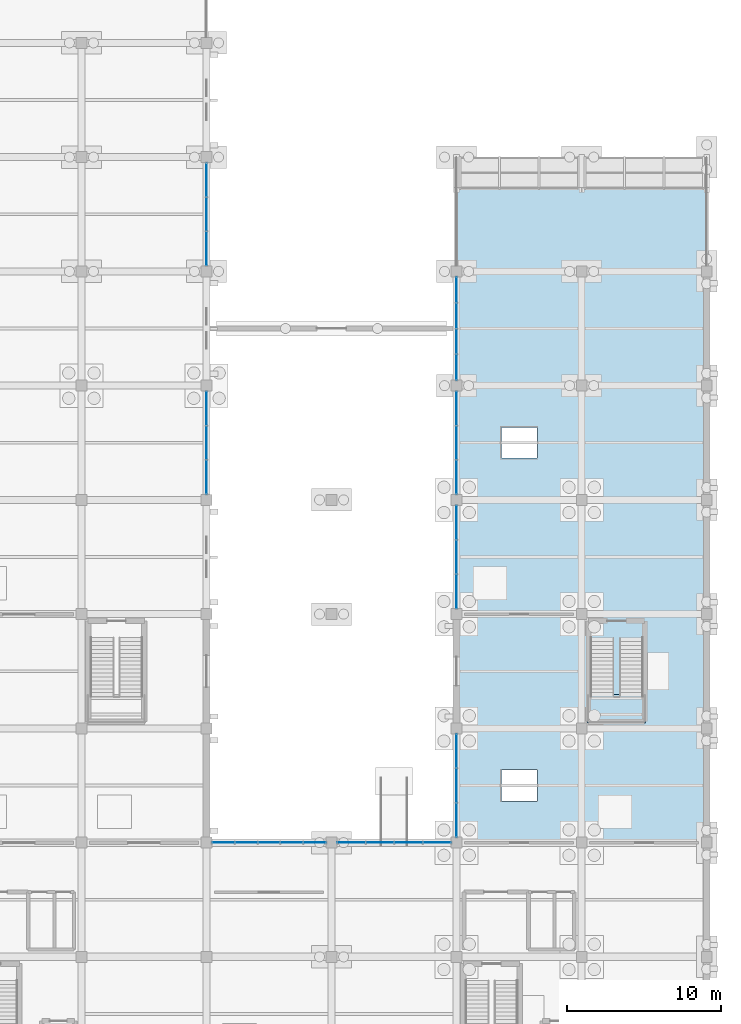
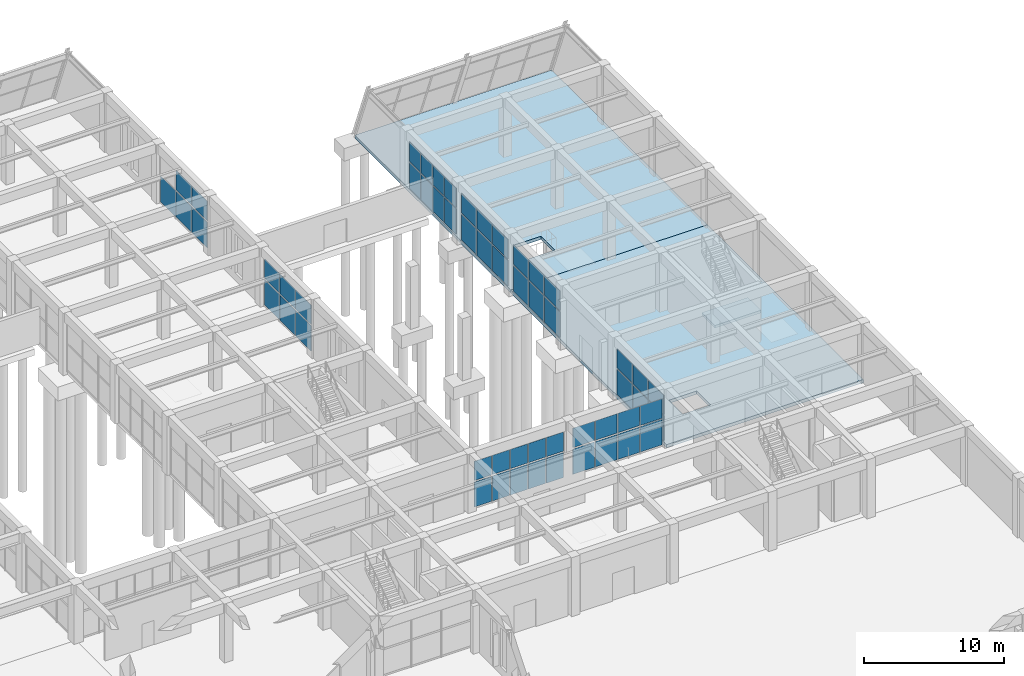
# One storey, part 119 of 140: 55 plates, 3 slabs, 9 elements without a shape of their own.
"""IFC4 building model written with IfcOpenShell, lengths in metres."""

import ifcopenshell
import ifcopenshell.guid

model = None  # the IFC model being written
_history = None  # IfcOwnerHistory: only IFC2X3 demands one
_inside = {}  # id of a spatial element -> (the spatial element, [elements in it])
_under = {}  # id of a project, library or spatial element -> (it, [spatial elements below it])
_declared = {}  # id of a project -> (the project, [libraries it declares])
_typed = {}  # id of a type object -> (the type object, [elements of that type])
_made_of = {}  # id of a material, layer set ... -> (it, [elements and type objects made of it])


def new_model(schema):
    """Start an empty IFC model of exactly this schema.

    Asked for "IFC4X3", IfcOpenShell would pick the latest addendum, in which some entities
    have other attributes; the version numbers below select the first issue.
    IFC2X3 requires an IfcOwnerHistory on every rooted entity: one is made here for all.
    """
    global model, _history
    if schema == "IFC4X3":
        model = ifcopenshell.file(schema_version=(4, 3, 0, 0))
    else:
        model = ifcopenshell.file(schema=schema)
    _inside.clear()
    _under.clear()
    _declared.clear()
    _typed.clear()
    _made_of.clear()
    _history = None
    if model.schema == "IFC2X3":
        org = make("IfcOrganization", Name="unknown")
        user = make(
            "IfcPersonAndOrganization",
            ThePerson=make("IfcPerson", FamilyName="unknown"),
            TheOrganization=org,
        )
        app = make(
            "IfcApplication",
            ApplicationDeveloper=org,
            Version="unknown",
            ApplicationFullName="unknown",
            ApplicationIdentifier="unknown",
        )
        _history = make(
            "IfcOwnerHistory",
            OwningUser=user,
            OwningApplication=app,
            ChangeAction="ADDED",
            CreationDate=0,
        )
    return model


def make(cls, **values):
    """One entity of the class cls with the attributes given. An attribute that is None is left unset."""
    return model.create_entity(
        cls, **{name: value for name, value in values.items() if value is not None}
    )


def rooted(cls, **values):
    """An entity with a GlobalId (a new one), such as an element, a storey or a relation."""
    return make(cls, GlobalId=ifcopenshell.guid.new(), OwnerHistory=_history, **values)


def si_unit(unit_type, name, prefix=None):
    """IfcSIUnit, for example si_unit("LENGTHUNIT", "METRE", prefix="MILLI")."""
    return make("IfcSIUnit", UnitType=unit_type, Prefix=prefix, Name=name)


def assignment(units):
    """IfcUnitAssignment: the units of a project."""
    return None if units is None else make("IfcUnitAssignment", Units=units)


def point(xyz):
    """IfcCartesianPoint."""
    return None if xyz is None else make("IfcCartesianPoint", Coordinates=xyz)


def direction(xyz):
    """IfcDirection."""
    return None if xyz is None else make("IfcDirection", DirectionRatios=xyz)


def frame(location, z_axis=None, x_axis=None):
    """IfcAxis2Placement3D, a coordinate frame: its origin and axes. An axis left out is left unset."""
    return make(
        "IfcAxis2Placement3D",
        Location=point(location),
        Axis=direction(z_axis),
        RefDirection=direction(x_axis),
    )


def frame_2d(location, x_axis=None):
    """IfcAxis2Placement2D, a coordinate frame in the plane: its origin and x axis."""
    return make(
        "IfcAxis2Placement2D", Location=point(location), RefDirection=direction(x_axis)
    )


def origin():
    """The frame at (0, 0, 0) with its axes left unset."""
    return frame((0.0, 0.0, 0.0))


def origin_2d():
    """The frame at (0, 0) in the plane with its x axis left unset."""
    return frame_2d((0.0, 0.0))


def place(relative_to, where):
    """IfcLocalPlacement: puts the frame where relative to a parent placement (None: the world)."""
    return make(
        "IfcLocalPlacement", PlacementRelTo=relative_to, RelativePlacement=where
    )


def context(
    kind, dimensions, precision=None, world=None, true_north=None, identifier=None
):
    """IfcGeometricRepresentationContext, for example the 3D "Model" context."""
    return make(
        "IfcGeometricRepresentationContext",
        ContextIdentifier=identifier,
        ContextType=kind,
        CoordinateSpaceDimension=dimensions,
        Precision=precision,
        WorldCoordinateSystem=world,
        TrueNorth=true_north,
    )


def subcontext(parent, identifier, kind, view, scale=None):
    """IfcGeometricRepresentationSubContext, for example "Body" below "Model"."""
    return make(
        "IfcGeometricRepresentationSubContext",
        ContextIdentifier=identifier,
        ContextType=kind,
        ParentContext=parent,
        TargetScale=scale,
        TargetView=view,
    )


def project(units=None, contexts=None):
    """IfcProject with its units and contexts."""
    return rooted(
        "IfcProject",
        Name="project",
        RepresentationContexts=contexts,
        UnitsInContext=assignment(units),
    )


def spatial(cls, under=None, at=None, **own):
    """A site, building, storey or space (cls), placed at a placement, below another one or the project."""
    s = rooted(cls, ObjectPlacement=at, **own)
    if under is not None:
        _under.setdefault(under.id(), (under, []))[1].append(s)
    return s


def polyline(points):
    """IfcPolyline through the points."""
    return make("IfcPolyline", Points=[point(p) for p in points])


def profile(cls, at=None, kind="AREA", **sizes):
    """A parametric profile (cls). Its sizes go by their IFC names, for example OverallWidth=200.0."""
    return make(cls, ProfileType=kind, Position=at, **sizes)


def rectangle(**sizes):
    """IfcRectangleProfileDef."""
    return profile("IfcRectangleProfileDef", **sizes)


def outline(outer, holes=None, kind="AREA"):
    """IfcArbitraryClosedProfileDef: a profile drawn as a closed curve; with holes, ...WithVoids."""
    if holes is None:
        return make("IfcArbitraryClosedProfileDef", ProfileType=kind, OuterCurve=outer)
    return make(
        "IfcArbitraryProfileDefWithVoids",
        ProfileType=kind,
        OuterCurve=outer,
        InnerCurves=holes,
    )


def extrude(swept, where, along, depth):
    """IfcExtrudedAreaSolid: the profile swept, set in the frame where, extruded along a direction by depth."""
    return make(
        "IfcExtrudedAreaSolid",
        SweptArea=swept,
        Position=where,
        ExtrudedDirection=direction(along),
        Depth=depth,
    )


def shape(context_of_items, identifier, shape_type, items):
    """IfcShapeRepresentation: the items that make up one representation, for example the "Body"."""
    return make(
        "IfcShapeRepresentation",
        ContextOfItems=context_of_items,
        RepresentationIdentifier=identifier,
        RepresentationType=shape_type,
        Items=items,
    )


def material(Name=None, Category=None):
    """IfcMaterial."""
    return make("IfcMaterial", Name=Name, Category=Category)


def layer(
    of_material, thickness, ventilated=None, Name=None, Category=None, Priority=None
):
    """IfcMaterialLayer: one layer of a wall or slab, of a material (None: an air gap)."""
    return make(
        "IfcMaterialLayer",
        Material=of_material,
        LayerThickness=thickness,
        IsVentilated=ventilated,
        Name=Name,
        Category=Category,
        Priority=Priority,
    )


def layer_set(layers, Name=None):
    """IfcMaterialLayerSet."""
    return make("IfcMaterialLayerSet", MaterialLayers=layers, LayerSetName=Name)


def made_of(thing, what):
    """Note that an element or type object is made of a material, layer set ...; save() writes the relation."""
    if what is not None:
        _made_of.setdefault(what.id(), (what, []))[1].append(thing)
    return thing


def type_object(cls, material=None, **own):
    """A type object (cls), such as IfcWallType, which elements share."""
    return made_of(rooted(cls, **own), material)


def element(
    cls,
    number,
    at=None,
    inside=None,
    cuts=None,
    type_object=None,
    material=None,
    context=None,
    identifier="Body",
    shape_type=None,
    held_by="IfcProductDefinitionShape",
    body=None,
    shapes=None,
    **own,
):
    """One element of the class cls, such as IfcWall. Its Tag is "e" and its number.

    at: its placement. inside: the storey or other place that contains it. cuts: it is an
    opening in that element (IfcRelVoidsElement). A single representation is given by context,
    identifier, shape_type and body (its items); several are given by shapes. held_by: the class
    of the entity that holds the representations. save() writes the other relations.
    """
    e = rooted(cls, Tag="e%d" % number, ObjectPlacement=at, **own)
    if body is not None:
        shapes = [shape(context, identifier, shape_type, body)]
    if shapes is not None:
        e.Representation = make(held_by, Representations=shapes)
    if inside is not None:
        _inside.setdefault(inside.id(), (inside, []))[1].append(e)
    if cuts is not None:
        rooted(
            "IfcRelVoidsElement", RelatingBuildingElement=cuts, RelatedOpeningElement=e
        )
    if type_object is not None:
        _typed.setdefault(type_object.id(), (type_object, []))[1].append(e)
    return made_of(e, material)


def aggregate(whole, parts):
    """IfcRelAggregates: a whole, such as a stair, and the parts it consists of."""
    return rooted("IfcRelAggregates", RelatingObject=whole, RelatedObjects=parts)


def save(model, path):
    """Write the relations noted so far, then the file.

    IfcRelAggregates (storeys below a building ...), IfcRelContainedInSpatialStructure (elements
    in a storey), IfcRelDefinesByType, IfcRelAssociatesMaterial and IfcRelDeclares: one each for
    every whole, place, type object, material and project.
    """
    for whole, parts in _under.values():
        aggregate(whole, parts)
    for where, things in _inside.values():
        rooted(
            "IfcRelContainedInSpatialStructure",
            RelatedElements=things,
            RelatingStructure=where,
        )
    for kind, things in _typed.values():
        rooted("IfcRelDefinesByType", RelatedObjects=things, RelatingType=kind)
    for what, things in _made_of.values():
        rooted("IfcRelAssociatesMaterial", RelatedObjects=things, RelatingMaterial=what)
    for by, libraries in _declared.values():
        rooted("IfcRelDeclares", RelatingContext=by, RelatedDefinitions=libraries)
    model.write(path)


model = new_model("IFC4")

# Units and contexts
model_context = context("Model", 3, precision=1e-05, world=origin(), true_north=direction((0.0, 1.0)))
body_context = subcontext(model_context, "Body", "Model", "MODEL_VIEW")
ifc_project = project(units=[si_unit("LENGTHUNIT", "METRE"), si_unit("AREAUNIT", "SQUARE_METRE"), si_unit("VOLUMEUNIT", "CUBIC_METRE"), si_unit("PLANEANGLEUNIT", "RADIAN"), si_unit("MASSUNIT", "GRAM", prefix="KILO")], contexts=[model_context])

# Site, building, storey
site_placement = place(None, origin())
site = spatial("IfcSite", under=ifc_project, at=site_placement, CompositionType="ELEMENT")
building_placement = place(site_placement, origin())
building = spatial("IfcBuilding", under=site, at=building_placement, Name="Cimatlan Art Gallery", CompositionType="ELEMENT")
storey_placement = place(building_placement, origin())
storey = spatial("IfcBuildingStorey", under=building, at=storey_placement, Name="L00", CompositionType="ELEMENT", Elevation=0.0)

# Curtain wall, plates
ifc_material_1 = material(Name="Anodised bronze unitised curtain wall")
curtain_wall_type_1 = type_object("IfcCurtainWallType", Name="CW-V-07392X04210-B5", PredefinedType="NOTDEFINED", material=ifc_material_1)
curtain_wall_1_placement = place(storey_placement, origin())
curtain_wall_1 = element("IfcCurtainWall", 1, at=curtain_wall_1_placement, inside=storey, type_object=curtain_wall_type_1, Name="CW-L00-16-04-N", PredefinedType="NOTDEFINED")
ifc_material_2 = material(Name="Low-E insulated double glazing", Category="glass")
ifc_layer_1 = layer(ifc_material_2, 0.028076171875)
ifc_layer_set_1 = layer_set([ifc_layer_1], Name="Low-E insulated double glazing")
plate_type_1 = type_object("IfcPlateType", Name="PNL-1420X1668", PredefinedType="CURTAIN_PANEL", material=ifc_layer_set_1)
plate_1_placement = place(storey_placement, frame((132.693115234375, 38.699951171875, 2.419921875), z_axis=(0.0, 0.0, 1.0), x_axis=(1.0, 0.0, 0.0)))
plate_1 = element("IfcPlate", 2, at=plate_1_placement, type_object=plate_type_1, Name="CW-L00-16-04-N-P12", PredefinedType="CURTAIN_PANEL", context=body_context, shape_type="SweptSolid", body=[
    extrude(rectangle(XDim=1.419921875, YDim=0.028076171875, at=origin_2d()), origin(), (0.0, 0.0, 1.0), 1.66796875),
])
plate_2_placement = place(storey_placement, frame((134.171630859375, 38.699951171875, 2.419921875), z_axis=(0.0, 0.0, 1.0), x_axis=(1.0, 0.0, 0.0)))
plate_2 = element("IfcPlate", 3, at=plate_2_placement, type_object=plate_type_1, Name="CW-L00-16-04-N-P22", PredefinedType="CURTAIN_PANEL", context=body_context, shape_type="SweptSolid", body=[
    extrude(rectangle(XDim=1.419921875, YDim=0.028076171875, at=origin_2d()), origin(), (0.0, 0.0, 1.0), 1.66796875),
])
plate_3_placement = place(storey_placement, frame((135.64990234375, 38.699951171875, 2.419921875), z_axis=(0.0, 0.0, 1.0), x_axis=(1.0, 0.0, 0.0)))
plate_3 = element("IfcPlate", 4, at=plate_3_placement, type_object=plate_type_1, Name="CW-L00-16-04-N-P32", PredefinedType="CURTAIN_PANEL", context=body_context, shape_type="SweptSolid", body=[
    extrude(rectangle(XDim=1.419921875, YDim=0.028076171875, at=origin_2d()), origin(), (0.0, 0.0, 1.0), 1.66796875),
])
plate_4_placement = place(storey_placement, frame((137.12841796875, 38.699951171875, 2.419921875), z_axis=(0.0, 0.0, 1.0), x_axis=(1.0, 0.0, 0.0)))
plate_4 = element("IfcPlate", 5, at=plate_4_placement, type_object=plate_type_1, Name="CW-L00-16-04-N-P42", PredefinedType="CURTAIN_PANEL", context=body_context, shape_type="SweptSolid", body=[
    extrude(rectangle(XDim=1.419921875, YDim=0.028076171875, at=origin_2d()), origin(), (0.0, 0.0, 1.0), 1.66796875),
])
plate_5_placement = place(storey_placement, frame((138.606689453125, 38.699951171875, 2.419921875), z_axis=(0.0, 0.0, 1.0), x_axis=(1.0, 0.0, 0.0)))
plate_5 = element("IfcPlate", 6, at=plate_5_placement, type_object=plate_type_1, Name="CW-L00-16-04-N-P52", PredefinedType="CURTAIN_PANEL", context=body_context, shape_type="SweptSolid", body=[
    extrude(rectangle(XDim=1.419921875, YDim=0.028076171875, at=origin_2d()), origin(), (0.0, 0.0, 1.0), 1.66796875),
])
ifc_layer_2 = layer(ifc_material_2, 0.028076171875)
ifc_layer_set_2 = layer_set([ifc_layer_2], Name="Low-E insulated double glazing")
plate_type_2 = type_object("IfcPlateType", Name="PNL-1420X2174", PredefinedType="CURTAIN_PANEL", material=ifc_layer_set_2)
plate_6_placement = place(storey_placement, frame((132.693115234375, 38.699951171875, 0.12158203125), z_axis=(0.0, 0.0, 1.0), x_axis=(1.0, 0.0, 0.0)))
plate_6 = element("IfcPlate", 7, at=plate_6_placement, type_object=plate_type_2, Name="CW-L00-16-04-N-P11", PredefinedType="CURTAIN_PANEL", context=body_context, shape_type="SweptSolid", body=[
    extrude(rectangle(XDim=1.419921875, YDim=0.028076171875, at=origin_2d()), origin(), (0.0, 0.0, 1.0), 2.174072265625),
])
plate_7_placement = place(storey_placement, frame((134.171630859375, 38.699951171875, 0.12158203125), z_axis=(0.0, 0.0, 1.0), x_axis=(1.0, 0.0, 0.0)))
plate_7 = element("IfcPlate", 8, at=plate_7_placement, type_object=plate_type_2, Name="CW-L00-16-04-N-P21", PredefinedType="CURTAIN_PANEL", context=body_context, shape_type="SweptSolid", body=[
    extrude(rectangle(XDim=1.419921875, YDim=0.028076171875, at=origin_2d()), origin(), (0.0, 0.0, 1.0), 2.174072265625),
])
plate_8_placement = place(storey_placement, frame((135.64990234375, 38.699951171875, 0.12158203125), z_axis=(0.0, 0.0, 1.0), x_axis=(1.0, 0.0, 0.0)))
plate_8 = element("IfcPlate", 9, at=plate_8_placement, type_object=plate_type_2, Name="CW-L00-16-04-N-P31", PredefinedType="CURTAIN_PANEL", context=body_context, shape_type="SweptSolid", body=[
    extrude(rectangle(XDim=1.419921875, YDim=0.028076171875, at=origin_2d()), origin(), (0.0, 0.0, 1.0), 2.174072265625),
])
plate_9_placement = place(storey_placement, frame((137.12841796875, 38.699951171875, 0.12158203125), z_axis=(0.0, 0.0, 1.0), x_axis=(1.0, 0.0, 0.0)))
plate_9 = element("IfcPlate", 10, at=plate_9_placement, type_object=plate_type_2, Name="CW-L00-16-04-N-P41", PredefinedType="CURTAIN_PANEL", context=body_context, shape_type="SweptSolid", body=[
    extrude(rectangle(XDim=1.419921875, YDim=0.028076171875, at=origin_2d()), origin(), (0.0, 0.0, 1.0), 2.174072265625),
])
plate_10_placement = place(storey_placement, frame((138.606689453125, 38.699951171875, 0.12158203125), z_axis=(0.0, 0.0, 1.0), x_axis=(1.0, 0.0, 0.0)))
plate_10 = element("IfcPlate", 11, at=plate_10_placement, type_object=plate_type_2, Name="CW-L00-16-04-N-P51", PredefinedType="CURTAIN_PANEL", context=body_context, shape_type="SweptSolid", body=[
    extrude(rectangle(XDim=1.419921875, YDim=0.028076171875, at=origin_2d()), origin(), (0.0, 0.0, 1.0), 2.174072265625),
])
aggregate(curtain_wall_1, [plate_6, plate_1, plate_7, plate_2, plate_8, plate_3, plate_9, plate_4, plate_10, plate_5])

curtain_wall_type_2 = type_object("IfcCurtainWallType", Name="CW-V-06692X04275-B4", PredefinedType="NOTDEFINED", material=ifc_material_1)
curtain_wall_2_placement = place(storey_placement, origin())
curtain_wall_2 = element("IfcCurtainWall", 12, at=curtain_wall_2_placement, inside=storey, type_object=curtain_wall_type_2, Name="CW-L00-18-09-W", PredefinedType="NOTDEFINED")
ifc_layer_3 = layer(ifc_material_2, 0.028076171875)
ifc_layer_set_3 = layer_set([ifc_layer_3], Name="Low-E insulated double glazing")
plate_type_3 = type_object("IfcPlateType", Name="PNL-1615X1697", PredefinedType="CURTAIN_PANEL", material=ifc_layer_set_3)
plate_11_placement = place(storey_placement, frame((147.800048828125, 69.490478515625, 2.4560546875), z_axis=(0.0, 0.0, 1.0), x_axis=(0.0, 1.0, 0.0)))
plate_11 = element("IfcPlate", 13, at=plate_11_placement, type_object=plate_type_3, Name="CW-L00-18-09-W-P12", PredefinedType="CURTAIN_PANEL", context=body_context, shape_type="SweptSolid", body=[
    extrude(rectangle(XDim=1.614990234375, YDim=0.028076171875, at=origin_2d()), origin(), (0.0, 0.0, 1.0), 1.697021484375),
])
plate_12_placement = place(storey_placement, frame((147.800048828125, 71.16357421875, 2.4560546875), z_axis=(0.0, 0.0, 1.0), x_axis=(0.0, 1.0, 0.0)))
plate_12 = element("IfcPlate", 14, at=plate_12_placement, type_object=plate_type_3, Name="CW-L00-18-09-W-P22", PredefinedType="CURTAIN_PANEL", context=body_context, shape_type="SweptSolid", body=[
    extrude(rectangle(XDim=1.614990234375, YDim=0.028076171875, at=origin_2d()), origin(), (0.0, 0.0, 1.0), 1.697021484375),
])
plate_13_placement = place(storey_placement, frame((147.800048828125, 72.83642578125, 2.4560546875), z_axis=(0.0, 0.0, 1.0), x_axis=(0.0, 1.0, 0.0)))
plate_13 = element("IfcPlate", 15, at=plate_13_placement, type_object=plate_type_3, Name="CW-L00-18-09-W-P32", PredefinedType="CURTAIN_PANEL", context=body_context, shape_type="SweptSolid", body=[
    extrude(rectangle(XDim=1.614990234375, YDim=0.028076171875, at=origin_2d()), origin(), (0.0, 0.0, 1.0), 1.697021484375),
])
plate_14_placement = place(storey_placement, frame((147.800048828125, 74.509521484375, 2.4560546875), z_axis=(0.0, 0.0, 1.0), x_axis=(0.0, 1.0, 0.0)))
plate_14 = element("IfcPlate", 16, at=plate_14_placement, type_object=plate_type_3, Name="CW-L00-18-09-W-P42", PredefinedType="CURTAIN_PANEL", context=body_context, shape_type="SweptSolid", body=[
    extrude(rectangle(XDim=1.614990234375, YDim=0.028076171875, at=origin_2d()), origin(), (0.0, 0.0, 1.0), 1.697021484375),
])
ifc_layer_4 = layer(ifc_material_2, 0.028076171875)
ifc_layer_set_4 = layer_set([ifc_layer_4], Name="Low-E insulated double glazing")
plate_type_4 = type_object("IfcPlateType", Name="PNL-1615X2210", PredefinedType="CURTAIN_PANEL", material=ifc_layer_set_4)
plate_15_placement = place(storey_placement, frame((147.800048828125, 69.490478515625, 0.1220703125), z_axis=(0.0, 0.0, 1.0), x_axis=(0.0, 1.0, 0.0)))
plate_15 = element("IfcPlate", 17, at=plate_15_placement, type_object=plate_type_4, Name="CW-L00-18-09-W-P11", PredefinedType="CURTAIN_PANEL", context=body_context, shape_type="SweptSolid", body=[
    extrude(rectangle(XDim=1.614990234375, YDim=0.028076171875, at=origin_2d()), origin(), (0.0, 0.0, 1.0), 2.2099609375),
])
plate_16_placement = place(storey_placement, frame((147.800048828125, 71.16357421875, 0.1220703125), z_axis=(0.0, 0.0, 1.0), x_axis=(0.0, 1.0, 0.0)))
plate_16 = element("IfcPlate", 18, at=plate_16_placement, type_object=plate_type_4, Name="CW-L00-18-09-W-P21", PredefinedType="CURTAIN_PANEL", context=body_context, shape_type="SweptSolid", body=[
    extrude(rectangle(XDim=1.614990234375, YDim=0.028076171875, at=origin_2d()), origin(), (0.0, 0.0, 1.0), 2.2099609375),
])
plate_17_placement = place(storey_placement, frame((147.800048828125, 72.83642578125, 0.1220703125), z_axis=(0.0, 0.0, 1.0), x_axis=(0.0, 1.0, 0.0)))
plate_17 = element("IfcPlate", 19, at=plate_17_placement, type_object=plate_type_4, Name="CW-L00-18-09-W-P31", PredefinedType="CURTAIN_PANEL", context=body_context, shape_type="SweptSolid", body=[
    extrude(rectangle(XDim=1.614990234375, YDim=0.028076171875, at=origin_2d()), origin(), (0.0, 0.0, 1.0), 2.2099609375),
])
plate_18_placement = place(storey_placement, frame((147.800048828125, 74.509521484375, 0.1220703125), z_axis=(0.0, 0.0, 1.0), x_axis=(0.0, 1.0, 0.0)))
plate_18 = element("IfcPlate", 20, at=plate_18_placement, type_object=plate_type_4, Name="CW-L00-18-09-W-P41", PredefinedType="CURTAIN_PANEL", context=body_context, shape_type="SweptSolid", body=[
    extrude(rectangle(XDim=1.614990234375, YDim=0.028076171875, at=origin_2d()), origin(), (0.0, 0.0, 1.0), 2.2099609375),
])
aggregate(curtain_wall_2, [plate_15, plate_11, plate_16, plate_12, plate_17, plate_13, plate_18, plate_14])

curtain_wall_type_3 = type_object("IfcCurtainWallType", Name="CW-V-07392X04255-B4", PredefinedType="NOTDEFINED", material=ifc_material_1)
curtain_wall_3_placement = place(storey_placement, origin())
curtain_wall_3 = element("IfcCurtainWall", 21, at=curtain_wall_3_placement, inside=storey, type_object=curtain_wall_type_3, Name="CW-L00-17-04-N", PredefinedType="NOTDEFINED")
ifc_layer_5 = layer(ifc_material_2, 0.028076171875)
ifc_layer_set_5 = layer_set([ifc_layer_5], Name="Low-E insulated double glazing")
plate_type_5 = type_object("IfcPlateType", Name="PNL-1790X1688", PredefinedType="CURTAIN_PANEL", material=ifc_layer_set_5)
plate_19_placement = place(storey_placement, frame((140.97802734375, 38.699951171875, 2.44482421875), z_axis=(0.0, 0.0, 1.0), x_axis=(1.0, 0.0, 0.0)))
plate_19 = element("IfcPlate", 22, at=plate_19_placement, type_object=plate_type_5, Name="CW-L00-17-04-N-P12", PredefinedType="CURTAIN_PANEL", context=body_context, shape_type="SweptSolid", body=[
    extrude(rectangle(XDim=1.7900390625, YDim=0.028076171875, at=origin_2d()), origin(), (0.0, 0.0, 1.0), 1.68798828125),
])
plate_20_placement = place(storey_placement, frame((142.825927734375, 38.699951171875, 2.44482421875), z_axis=(0.0, 0.0, 1.0), x_axis=(1.0, 0.0, 0.0)))
plate_20 = element("IfcPlate", 23, at=plate_20_placement, type_object=plate_type_5, Name="CW-L00-17-04-N-P22", PredefinedType="CURTAIN_PANEL", context=body_context, shape_type="SweptSolid", body=[
    extrude(rectangle(XDim=1.7900390625, YDim=0.028076171875, at=origin_2d()), origin(), (0.0, 0.0, 1.0), 1.68798828125),
])
plate_21_placement = place(storey_placement, frame((144.674072265625, 38.699951171875, 2.44482421875), z_axis=(0.0, 0.0, 1.0), x_axis=(1.0, 0.0, 0.0)))
plate_21 = element("IfcPlate", 24, at=plate_21_placement, type_object=plate_type_5, Name="CW-L00-17-04-N-P32", PredefinedType="CURTAIN_PANEL", context=body_context, shape_type="SweptSolid", body=[
    extrude(rectangle(XDim=1.7900390625, YDim=0.028076171875, at=origin_2d()), origin(), (0.0, 0.0, 1.0), 1.68798828125),
])
plate_22_placement = place(storey_placement, frame((146.52197265625, 38.699951171875, 2.44482421875), z_axis=(0.0, 0.0, 1.0), x_axis=(1.0, 0.0, 0.0)))
plate_22 = element("IfcPlate", 25, at=plate_22_placement, type_object=plate_type_5, Name="CW-L00-17-04-N-P42", PredefinedType="CURTAIN_PANEL", context=body_context, shape_type="SweptSolid", body=[
    extrude(rectangle(XDim=1.7900390625, YDim=0.028076171875, at=origin_2d()), origin(), (0.0, 0.0, 1.0), 1.68798828125),
])
ifc_layer_6 = layer(ifc_material_2, 0.028076171875)
ifc_layer_set_6 = layer_set([ifc_layer_6], Name="Low-E insulated double glazing")
plate_type_6 = type_object("IfcPlateType", Name="PNL-1790X2199", PredefinedType="CURTAIN_PANEL", material=ifc_layer_set_6)
plate_23_placement = place(storey_placement, frame((140.97802734375, 38.699951171875, 0.1220703125), z_axis=(0.0, 0.0, 1.0), x_axis=(1.0, 0.0, 0.0)))
plate_23 = element("IfcPlate", 26, at=plate_23_placement, type_object=plate_type_6, Name="CW-L00-17-04-N-P11", PredefinedType="CURTAIN_PANEL", context=body_context, shape_type="SweptSolid", body=[
    extrude(rectangle(XDim=1.7900390625, YDim=0.028076171875, at=origin_2d()), origin(), (0.0, 0.0, 1.0), 2.198974609375),
])
plate_24_placement = place(storey_placement, frame((142.825927734375, 38.699951171875, 0.1220703125), z_axis=(0.0, 0.0, 1.0), x_axis=(1.0, 0.0, 0.0)))
plate_24 = element("IfcPlate", 27, at=plate_24_placement, type_object=plate_type_6, Name="CW-L00-17-04-N-P21", PredefinedType="CURTAIN_PANEL", context=body_context, shape_type="SweptSolid", body=[
    extrude(rectangle(XDim=1.7900390625, YDim=0.028076171875, at=origin_2d()), origin(), (0.0, 0.0, 1.0), 2.198974609375),
])
plate_25_placement = place(storey_placement, frame((144.674072265625, 38.699951171875, 0.1220703125), z_axis=(0.0, 0.0, 1.0), x_axis=(1.0, 0.0, 0.0)))
plate_25 = element("IfcPlate", 28, at=plate_25_placement, type_object=plate_type_6, Name="CW-L00-17-04-N-P31", PredefinedType="CURTAIN_PANEL", context=body_context, shape_type="SweptSolid", body=[
    extrude(rectangle(XDim=1.7900390625, YDim=0.028076171875, at=origin_2d()), origin(), (0.0, 0.0, 1.0), 2.198974609375),
])
plate_26_placement = place(storey_placement, frame((146.52197265625, 38.699951171875, 0.1220703125), z_axis=(0.0, 0.0, 1.0), x_axis=(1.0, 0.0, 0.0)))
plate_26 = element("IfcPlate", 29, at=plate_26_placement, type_object=plate_type_6, Name="CW-L00-17-04-N-P41", PredefinedType="CURTAIN_PANEL", context=body_context, shape_type="SweptSolid", body=[
    extrude(rectangle(XDim=1.7900390625, YDim=0.028076171875, at=origin_2d()), origin(), (0.0, 0.0, 1.0), 2.198974609375),
])
aggregate(curtain_wall_3, [plate_23, plate_19, plate_24, plate_20, plate_25, plate_21, plate_26, plate_22])

curtain_wall_type_4 = type_object("IfcCurtainWallType", Name="CW-V-06692X04195-B3", PredefinedType="NOTDEFINED", material=ifc_material_1)
curtain_wall_4_placement = place(storey_placement, origin())
curtain_wall_4 = element("IfcCurtainWall", 30, at=curtain_wall_4_placement, inside=storey, type_object=curtain_wall_type_4, Name="CW-L00-18-05-W", PredefinedType="NOTDEFINED")
ifc_layer_7 = layer(ifc_material_2, 0.028076171875)
ifc_layer_set_7 = layer_set([ifc_layer_7], Name="Low-E insulated double glazing")
plate_type_7 = type_object("IfcPlateType", Name="PNL-2173X1662", PredefinedType="CURTAIN_PANEL", material=ifc_layer_set_7)
plate_27_placement = place(storey_placement, frame((147.800048828125, 40.16943359375, 2.4111328125), z_axis=(0.0, 0.0, 1.0), x_axis=(0.0, 1.0, 0.0)))
plate_27 = element("IfcPlate", 31, at=plate_27_placement, type_object=plate_type_7, Name="CW-L00-18-05-W-P12", PredefinedType="CURTAIN_PANEL", context=body_context, shape_type="SweptSolid", body=[
    extrude(rectangle(XDim=2.173095703125, YDim=0.028076171875, at=origin_2d()), origin(), (0.0, 0.0, 1.0), 1.662109375),
])
plate_28_placement = place(storey_placement, frame((147.800048828125, 42.39990234375, 2.4111328125), z_axis=(0.0, 0.0, 1.0), x_axis=(0.0, 1.0, 0.0)))
plate_28 = element("IfcPlate", 32, at=plate_28_placement, type_object=plate_type_7, Name="CW-L00-18-05-W-P22", PredefinedType="CURTAIN_PANEL", context=body_context, shape_type="SweptSolid", body=[
    extrude(rectangle(XDim=2.173095703125, YDim=0.028076171875, at=origin_2d()), origin(), (0.0, 0.0, 1.0), 1.662109375),
])
plate_29_placement = place(storey_placement, frame((147.800048828125, 44.630615234375, 2.4111328125), z_axis=(0.0, 0.0, 1.0), x_axis=(0.0, 1.0, 0.0)))
plate_29 = element("IfcPlate", 33, at=plate_29_placement, type_object=plate_type_7, Name="CW-L00-18-05-W-P32", PredefinedType="CURTAIN_PANEL", context=body_context, shape_type="SweptSolid", body=[
    extrude(rectangle(XDim=2.173095703125, YDim=0.028076171875, at=origin_2d()), origin(), (0.0, 0.0, 1.0), 1.662109375),
])

curtain_wall_type_5 = type_object("IfcCurtainWallType", Name="CW-V-06692X04245-B3", PredefinedType="NOTDEFINED", material=ifc_material_1)
curtain_wall_5_placement = place(storey_placement, origin())
curtain_wall_5 = element("IfcCurtainWall", 34, at=curtain_wall_5_placement, inside=storey, type_object=curtain_wall_type_5, Name="CW-L00-15-08-E", PredefinedType="NOTDEFINED")
ifc_layer_8 = layer(ifc_material_2, 0.028076171875)
ifc_layer_set_8 = layer_set([ifc_layer_8], Name="Low-E insulated double glazing")
plate_type_8 = type_object("IfcPlateType", Name="PNL-2173X1684", PredefinedType="CURTAIN_PANEL", material=ifc_layer_set_8)
plate_30_placement = place(storey_placement, frame((131.60009765625, 66.83056640625, 2.43896484375), z_axis=(0.0, 0.0, 1.0), x_axis=(0.0, -1.0, 0.0)))
plate_30 = element("IfcPlate", 35, at=plate_30_placement, type_object=plate_type_8, Name="CW-L00-15-08-E-P12", PredefinedType="CURTAIN_PANEL", context=body_context, shape_type="SweptSolid", body=[
    extrude(rectangle(XDim=2.173095703125, YDim=0.028076171875, at=origin_2d()), origin(), (0.0, 0.0, 1.0), 1.68408203125),
])
plate_31_placement = place(storey_placement, frame((131.60009765625, 64.60009765625, 2.43896484375), z_axis=(0.0, 0.0, 1.0), x_axis=(0.0, -1.0, 0.0)))
plate_31 = element("IfcPlate", 36, at=plate_31_placement, type_object=plate_type_8, Name="CW-L00-15-08-E-P22", PredefinedType="CURTAIN_PANEL", context=body_context, shape_type="SweptSolid", body=[
    extrude(rectangle(XDim=2.173095703125, YDim=0.028076171875, at=origin_2d()), origin(), (0.0, 0.0, 1.0), 1.68408203125),
])
plate_32_placement = place(storey_placement, frame((131.60009765625, 62.369384765625, 2.43896484375), z_axis=(0.0, 0.0, 1.0), x_axis=(0.0, -1.0, 0.0)))
plate_32 = element("IfcPlate", 37, at=plate_32_placement, type_object=plate_type_8, Name="CW-L00-15-08-E-P32", PredefinedType="CURTAIN_PANEL", context=body_context, shape_type="SweptSolid", body=[
    extrude(rectangle(XDim=2.173095703125, YDim=0.028076171875, at=origin_2d()), origin(), (0.0, 0.0, 1.0), 1.68408203125),
])

curtain_wall_type_6 = type_object("IfcCurtainWallType", Name="CW-V-06692X04290-B3", PredefinedType="NOTDEFINED", material=ifc_material_1)
curtain_wall_6_placement = place(storey_placement, origin())
curtain_wall_6 = element("IfcCurtainWall", 38, at=curtain_wall_6_placement, inside=storey, type_object=curtain_wall_type_6, Name="CW-L00-18-08-W", PredefinedType="NOTDEFINED")
ifc_layer_9 = layer(ifc_material_2, 0.028076171875)
ifc_layer_set_9 = layer_set([ifc_layer_9], Name="Low-E insulated double glazing")
plate_type_9 = type_object("IfcPlateType", Name="PNL-2173X1704", PredefinedType="CURTAIN_PANEL", material=ifc_layer_set_9)
plate_33_placement = place(storey_placement, frame((147.800048828125, 62.369384765625, 2.464111328125), z_axis=(0.0, 0.0, 1.0), x_axis=(0.0, 1.0, 0.0)))
plate_33 = element("IfcPlate", 39, at=plate_33_placement, type_object=plate_type_9, Name="CW-L00-18-08-W-P12", PredefinedType="CURTAIN_PANEL", context=body_context, shape_type="SweptSolid", body=[
    extrude(rectangle(XDim=2.173095703125, YDim=0.028076171875, at=origin_2d()), origin(), (0.0, 0.0, 1.0), 1.7041015625),
])
plate_34_placement = place(storey_placement, frame((147.800048828125, 64.60009765625, 2.464111328125), z_axis=(0.0, 0.0, 1.0), x_axis=(0.0, 1.0, 0.0)))
plate_34 = element("IfcPlate", 40, at=plate_34_placement, type_object=plate_type_9, Name="CW-L00-18-08-W-P22", PredefinedType="CURTAIN_PANEL", context=body_context, shape_type="SweptSolid", body=[
    extrude(rectangle(XDim=2.173095703125, YDim=0.028076171875, at=origin_2d()), origin(), (0.0, 0.0, 1.0), 1.7041015625),
])
plate_35_placement = place(storey_placement, frame((147.800048828125, 66.83056640625, 2.464111328125), z_axis=(0.0, 0.0, 1.0), x_axis=(0.0, 1.0, 0.0)))
plate_35 = element("IfcPlate", 41, at=plate_35_placement, type_object=plate_type_9, Name="CW-L00-18-08-W-P32", PredefinedType="CURTAIN_PANEL", context=body_context, shape_type="SweptSolid", body=[
    extrude(rectangle(XDim=2.173095703125, YDim=0.028076171875, at=origin_2d()), origin(), (0.0, 0.0, 1.0), 1.7041015625),
])

curtain_wall_type_7 = type_object("IfcCurtainWallType", Name="CW-V-06692X04305-B3", PredefinedType="NOTDEFINED", material=ifc_material_1)
curtain_wall_7_placement = place(storey_placement, origin())
curtain_wall_7 = element("IfcCurtainWall", 42, at=curtain_wall_7_placement, inside=storey, type_object=curtain_wall_type_7, Name="CW-L00-15-10-E", PredefinedType="NOTDEFINED")
ifc_layer_10 = layer(ifc_material_2, 0.028076171875)
ifc_layer_set_10 = layer_set([ifc_layer_10], Name="Low-E insulated double glazing")
plate_type_10 = type_object("IfcPlateType", Name="PNL-2173X1710", PredefinedType="CURTAIN_PANEL", material=ifc_layer_set_10)
plate_36_placement = place(storey_placement, frame((131.60009765625, 79.39990234375, 2.472900390625), z_axis=(0.0, 0.0, 1.0), x_axis=(0.0, -1.0, 0.0)))
plate_36 = element("IfcPlate", 43, at=plate_36_placement, type_object=plate_type_10, Name="CW-L00-15-10-E-P22", PredefinedType="CURTAIN_PANEL", context=body_context, shape_type="SweptSolid", body=[
    extrude(rectangle(XDim=2.173095703125, YDim=0.028076171875, at=origin_2d()), origin(), (0.0, 0.0, 1.0), 1.7099609375),
])
plate_37_placement = place(storey_placement, frame((131.60009765625, 77.16943359375, 2.472900390625), z_axis=(0.0, 0.0, 1.0), x_axis=(0.0, -1.0, 0.0)))
plate_37 = element("IfcPlate", 44, at=plate_37_placement, type_object=plate_type_10, Name="CW-L00-15-10-E-P32", PredefinedType="CURTAIN_PANEL", context=body_context, shape_type="SweptSolid", body=[
    extrude(rectangle(XDim=2.173095703125, YDim=0.028076171875, at=origin_2d()), origin(), (0.0, 0.0, 1.0), 1.7099609375),
])

curtain_wall_8_placement = place(storey_placement, origin())
curtain_wall_8 = element("IfcCurtainWall", 45, at=curtain_wall_8_placement, inside=storey, type_object=curtain_wall_type_7, Name="CW-L00-18-07-W", PredefinedType="NOTDEFINED")
plate_38_placement = place(storey_placement, frame((147.800048828125, 54.96923828125, 2.472900390625), z_axis=(0.0, 0.0, 1.0), x_axis=(0.0, 1.0, 0.0)))
plate_38 = element("IfcPlate", 46, at=plate_38_placement, type_object=plate_type_10, Name="CW-L00-18-07-W-P12", PredefinedType="CURTAIN_PANEL", context=body_context, shape_type="SweptSolid", body=[
    extrude(rectangle(XDim=2.173095703125, YDim=0.028076171875, at=origin_2d()), origin(), (0.0, 0.0, 1.0), 1.7099609375),
])
plate_39_placement = place(storey_placement, frame((147.800048828125, 57.199951171875, 2.472900390625), z_axis=(0.0, 0.0, 1.0), x_axis=(0.0, 1.0, 0.0)))
plate_39 = element("IfcPlate", 47, at=plate_39_placement, type_object=plate_type_10, Name="CW-L00-18-07-W-P22", PredefinedType="CURTAIN_PANEL", context=body_context, shape_type="SweptSolid", body=[
    extrude(rectangle(XDim=2.173095703125, YDim=0.028076171875, at=origin_2d()), origin(), (0.0, 0.0, 1.0), 1.7099609375),
])
plate_40_placement = place(storey_placement, frame((147.800048828125, 59.4306640625, 2.472900390625), z_axis=(0.0, 0.0, 1.0), x_axis=(0.0, 1.0, 0.0)))
plate_40 = element("IfcPlate", 48, at=plate_40_placement, type_object=plate_type_10, Name="CW-L00-18-07-W-P32", PredefinedType="CURTAIN_PANEL", context=body_context, shape_type="SweptSolid", body=[
    extrude(rectangle(XDim=2.173095703125, YDim=0.028076171875, at=origin_2d()), origin(), (0.0, 0.0, 1.0), 1.7099609375),
])

# Plate
ifc_layer_11 = layer(ifc_material_2, 0.028076171875)
ifc_layer_set_11 = layer_set([ifc_layer_11], Name="Low-E insulated double glazing")
plate_type_11 = type_object("IfcPlateType", Name="PNL-2173X2165", PredefinedType="CURTAIN_PANEL", material=ifc_layer_set_11)
plate_41_placement = place(storey_placement, frame((147.800048828125, 40.16943359375, 0.1220703125), z_axis=(0.0, 0.0, 1.0), x_axis=(0.0, 1.0, 0.0)))
plate_41 = element("IfcPlate", 49, at=plate_41_placement, type_object=plate_type_11, Name="CW-L00-18-05-W-P11", PredefinedType="CURTAIN_PANEL", context=body_context, shape_type="SweptSolid", body=[
    extrude(rectangle(XDim=2.173095703125, YDim=0.028076171875, at=origin_2d()), origin(), (0.0, 0.0, 1.0), 2.1650390625),
])

plate_42_placement = place(storey_placement, frame((147.800048828125, 42.39990234375, 0.1220703125), z_axis=(0.0, 0.0, 1.0), x_axis=(0.0, 1.0, 0.0)))
plate_42 = element("IfcPlate", 50, at=plate_42_placement, type_object=plate_type_11, Name="CW-L00-18-05-W-P21", PredefinedType="CURTAIN_PANEL", context=body_context, shape_type="SweptSolid", body=[
    extrude(rectangle(XDim=2.173095703125, YDim=0.028076171875, at=origin_2d()), origin(), (0.0, 0.0, 1.0), 2.1650390625),
])

plate_43_placement = place(storey_placement, frame((147.800048828125, 44.630615234375, 0.1220703125), z_axis=(0.0, 0.0, 1.0), x_axis=(0.0, 1.0, 0.0)))
plate_43 = element("IfcPlate", 51, at=plate_43_placement, type_object=plate_type_11, Name="CW-L00-18-05-W-P31", PredefinedType="CURTAIN_PANEL", context=body_context, shape_type="SweptSolid", body=[
    extrude(rectangle(XDim=2.173095703125, YDim=0.028076171875, at=origin_2d()), origin(), (0.0, 0.0, 1.0), 2.1650390625),
])

aggregate(curtain_wall_4, [plate_41, plate_27, plate_42, plate_28, plate_43, plate_29])

ifc_layer_12 = layer(ifc_material_2, 0.028076171875)
ifc_layer_set_12 = layer_set([ifc_layer_12], Name="Low-E insulated double glazing")
plate_type_12 = type_object("IfcPlateType", Name="PNL-2173X2193", PredefinedType="CURTAIN_PANEL", material=ifc_layer_set_12)
plate_44_placement = place(storey_placement, frame((131.60009765625, 66.83056640625, 0.1220703125), z_axis=(0.0, 0.0, 1.0), x_axis=(0.0, -1.0, 0.0)))
plate_44 = element("IfcPlate", 52, at=plate_44_placement, type_object=plate_type_12, Name="CW-L00-15-08-E-P11", PredefinedType="CURTAIN_PANEL", context=body_context, shape_type="SweptSolid", body=[
    extrude(rectangle(XDim=2.173095703125, YDim=0.028076171875, at=origin_2d()), origin(), (0.0, 0.0, 1.0), 2.193115234375),
])

plate_45_placement = place(storey_placement, frame((131.60009765625, 64.60009765625, 0.1220703125), z_axis=(0.0, 0.0, 1.0), x_axis=(0.0, -1.0, 0.0)))
plate_45 = element("IfcPlate", 53, at=plate_45_placement, type_object=plate_type_12, Name="CW-L00-15-08-E-P21", PredefinedType="CURTAIN_PANEL", context=body_context, shape_type="SweptSolid", body=[
    extrude(rectangle(XDim=2.173095703125, YDim=0.028076171875, at=origin_2d()), origin(), (0.0, 0.0, 1.0), 2.193115234375),
])

plate_46_placement = place(storey_placement, frame((131.60009765625, 62.369384765625, 0.1220703125), z_axis=(0.0, 0.0, 1.0), x_axis=(0.0, -1.0, 0.0)))
plate_46 = element("IfcPlate", 54, at=plate_46_placement, type_object=plate_type_12, Name="CW-L00-15-08-E-P31", PredefinedType="CURTAIN_PANEL", context=body_context, shape_type="SweptSolid", body=[
    extrude(rectangle(XDim=2.173095703125, YDim=0.028076171875, at=origin_2d()), origin(), (0.0, 0.0, 1.0), 2.193115234375),
])

aggregate(curtain_wall_5, [plate_44, plate_30, plate_45, plate_31, plate_46, plate_32])

ifc_layer_13 = layer(ifc_material_2, 0.028076171875)
ifc_layer_set_13 = layer_set([ifc_layer_13], Name="Low-E insulated double glazing")
plate_type_13 = type_object("IfcPlateType", Name="PNL-2173X2218", PredefinedType="CURTAIN_PANEL", material=ifc_layer_set_13)
plate_47_placement = place(storey_placement, frame((147.800048828125, 62.369384765625, 0.1220703125), z_axis=(0.0, 0.0, 1.0), x_axis=(0.0, 1.0, 0.0)))
plate_47 = element("IfcPlate", 55, at=plate_47_placement, type_object=plate_type_13, Name="CW-L00-18-08-W-P11", PredefinedType="CURTAIN_PANEL", context=body_context, shape_type="SweptSolid", body=[
    extrude(rectangle(XDim=2.173095703125, YDim=0.028076171875, at=origin_2d()), origin(), (0.0, 0.0, 1.0), 2.218017578125),
])

plate_48_placement = place(storey_placement, frame((147.800048828125, 64.60009765625, 0.1220703125), z_axis=(0.0, 0.0, 1.0), x_axis=(0.0, 1.0, 0.0)))
plate_48 = element("IfcPlate", 56, at=plate_48_placement, type_object=plate_type_13, Name="CW-L00-18-08-W-P21", PredefinedType="CURTAIN_PANEL", context=body_context, shape_type="SweptSolid", body=[
    extrude(rectangle(XDim=2.173095703125, YDim=0.028076171875, at=origin_2d()), origin(), (0.0, 0.0, 1.0), 2.218017578125),
])

plate_49_placement = place(storey_placement, frame((147.800048828125, 66.83056640625, 0.1220703125), z_axis=(0.0, 0.0, 1.0), x_axis=(0.0, 1.0, 0.0)))
plate_49 = element("IfcPlate", 57, at=plate_49_placement, type_object=plate_type_13, Name="CW-L00-18-08-W-P31", PredefinedType="CURTAIN_PANEL", context=body_context, shape_type="SweptSolid", body=[
    extrude(rectangle(XDim=2.173095703125, YDim=0.028076171875, at=origin_2d()), origin(), (0.0, 0.0, 1.0), 2.218017578125),
])

aggregate(curtain_wall_6, [plate_47, plate_33, plate_48, plate_34, plate_49, plate_35])

ifc_layer_14 = layer(ifc_material_2, 0.028076171875)
ifc_layer_set_14 = layer_set([ifc_layer_14], Name="Low-E insulated double glazing")
plate_type_14 = type_object("IfcPlateType", Name="PNL-2173X2227", PredefinedType="CURTAIN_PANEL", material=ifc_layer_set_14)
plate_50_placement = place(storey_placement, frame((131.60009765625, 81.630615234375, 0.121826171875), z_axis=(0.0, 0.0, 1.0), x_axis=(0.0, -1.0, 0.0)))
plate_50 = element("IfcPlate", 58, at=plate_50_placement, type_object=plate_type_14, Name="CW-L00-15-10-E-P11", PredefinedType="CURTAIN_PANEL", context=body_context, shape_type="SweptSolid", body=[
    extrude(rectangle(XDim=2.173095703125, YDim=0.028076171875, at=origin_2d()), origin(), (0.0, 0.0, 1.0), 2.22705078125),
])

plate_51_placement = place(storey_placement, frame((131.60009765625, 79.39990234375, 0.121826171875), z_axis=(0.0, 0.0, 1.0), x_axis=(0.0, -1.0, 0.0)))
plate_51 = element("IfcPlate", 59, at=plate_51_placement, type_object=plate_type_14, Name="CW-L00-15-10-E-P21", PredefinedType="CURTAIN_PANEL", context=body_context, shape_type="SweptSolid", body=[
    extrude(rectangle(XDim=2.173095703125, YDim=0.028076171875, at=origin_2d()), origin(), (0.0, 0.0, 1.0), 2.22705078125),
])

plate_52_placement = place(storey_placement, frame((131.60009765625, 77.16943359375, 0.121826171875), z_axis=(0.0, 0.0, 1.0), x_axis=(0.0, -1.0, 0.0)))
plate_52 = element("IfcPlate", 60, at=plate_52_placement, type_object=plate_type_14, Name="CW-L00-15-10-E-P31", PredefinedType="CURTAIN_PANEL", context=body_context, shape_type="SweptSolid", body=[
    extrude(rectangle(XDim=2.173095703125, YDim=0.028076171875, at=origin_2d()), origin(), (0.0, 0.0, 1.0), 2.22705078125),
])

aggregate(curtain_wall_7, [plate_50, plate_51, plate_36, plate_52, plate_37])

plate_53_placement = place(storey_placement, frame((147.800048828125, 54.96923828125, 0.121826171875), z_axis=(0.0, 0.0, 1.0), x_axis=(0.0, 1.0, 0.0)))
plate_53 = element("IfcPlate", 61, at=plate_53_placement, type_object=plate_type_14, Name="CW-L00-18-07-W-P11", PredefinedType="CURTAIN_PANEL", context=body_context, shape_type="SweptSolid", body=[
    extrude(rectangle(XDim=2.173095703125, YDim=0.028076171875, at=origin_2d()), origin(), (0.0, 0.0, 1.0), 2.22705078125),
])

plate_54_placement = place(storey_placement, frame((147.800048828125, 57.199951171875, 0.121826171875), z_axis=(0.0, 0.0, 1.0), x_axis=(0.0, 1.0, 0.0)))
plate_54 = element("IfcPlate", 62, at=plate_54_placement, type_object=plate_type_14, Name="CW-L00-18-07-W-P21", PredefinedType="CURTAIN_PANEL", context=body_context, shape_type="SweptSolid", body=[
    extrude(rectangle(XDim=2.173095703125, YDim=0.028076171875, at=origin_2d()), origin(), (0.0, 0.0, 1.0), 2.22705078125),
])

plate_55_placement = place(storey_placement, frame((147.800048828125, 59.4306640625, 0.121826171875), z_axis=(0.0, 0.0, 1.0), x_axis=(0.0, 1.0, 0.0)))
plate_55 = element("IfcPlate", 63, at=plate_55_placement, type_object=plate_type_14, Name="CW-L00-18-07-W-P31", PredefinedType="CURTAIN_PANEL", context=body_context, shape_type="SweptSolid", body=[
    extrude(rectangle(XDim=2.173095703125, YDim=0.028076171875, at=origin_2d()), origin(), (0.0, 0.0, 1.0), 2.22705078125),
])

aggregate(curtain_wall_8, [plate_53, plate_38, plate_54, plate_39, plate_55, plate_40])

# Slabs
ifc_material_3 = material(Name="Concrete C35/45", Category="concrete")
ifc_layer_15 = layer(ifc_material_3, 0.280029296875)
ifc_layer_set_15 = layer_set([ifc_layer_15], Name="Concrete C35/45")
slab_type_1 = type_object("IfcSlabType", Name="SLB-FLR-L00", PredefinedType="FLOOR", material=ifc_layer_set_15)
slab_1_placement = place(storey_placement, frame((0.0, 0.0, -0.280029296875)))
element("IfcSlab", 64, at=slab_1_placement, inside=storey, type_object=slab_type_1, Name="SLB-L00-B5S", PredefinedType="FLOOR", context=body_context, shape_type="SweptSolid", body=[
    extrude(outline(polyline([(147.800048828125, 38.699951171875), (164.0, 38.699951171875), (164.0, 60.89990234375), (147.800048828125, 60.89990234375), (147.800048828125, 38.699951171875)]), holes=[polyline([(150.699951171875, 41.39990234375), (153.0, 41.39990234375), (153.0, 43.39990234375), (150.699951171875, 43.39990234375), (150.699951171875, 41.39990234375)])]), origin(), (0.0, 0.0, 1.0), 0.280029296875),
])
slab_2_placement = place(storey_placement, frame((0.0, 0.0, -0.280029296875)))
element("IfcSlab", 65, at=slab_2_placement, inside=storey, type_object=slab_type_1, Name="SLB-L00-B5N", PredefinedType="FLOOR", context=body_context, shape_type="SweptSolid", body=[
    extrude(outline(polyline([(147.800048828125, 60.89990234375), (164.0, 60.89990234375), (164.0, 83.10009765625), (147.800048828125, 83.10009765625), (147.800048828125, 60.89990234375)]), holes=[polyline([(150.699951171875, 63.60009765625), (153.0, 63.60009765625), (153.0, 65.60009765625), (150.699951171875, 65.60009765625), (150.699951171875, 63.60009765625)])]), origin(), (0.0, 0.0, 1.0), 0.280029296875),
])

# Stair, slab
stair_type = type_object("IfcStairType", Name="STR-HALF-155-540", PredefinedType="HALF_TURN_STAIR", material=ifc_material_3)
stair_placement = place(storey_placement, origin())
stair = element("IfcStair", 66, at=stair_placement, inside=storey, type_object=stair_type, Name="STR-C10-L00", PredefinedType="HALF_TURN_STAIR")
ifc_layer_16 = layer(ifc_material_3, 0.219970703125)
ifc_layer_set_16 = layer_set([ifc_layer_16], Name="Concrete C35/45")
slab_type_2 = type_object("IfcSlabType", Name="SLB-STAIR-LAND-220", PredefinedType="LANDING", material=ifc_layer_set_16)
slab_3_placement = place(storey_placement, frame((0.0, 0.0, 2.47998046875)))
slab_3 = element("IfcSlab", 67, at=slab_3_placement, type_object=slab_type_2, Name="STR-C10-L00-LND", PredefinedType="LANDING", context=body_context, shape_type="SweptSolid", body=[
    extrude(outline(polyline([(156.25, 46.449951171875), (160.0400390625, 46.449951171875), (160.0400390625, 48.304931640625), (156.25, 48.304931640625), (156.25, 46.449951171875)])), origin(), (0.0, 0.0, 1.0), 0.219970703125),
])
aggregate(stair, [slab_3])

save(model, "model.ifc")
